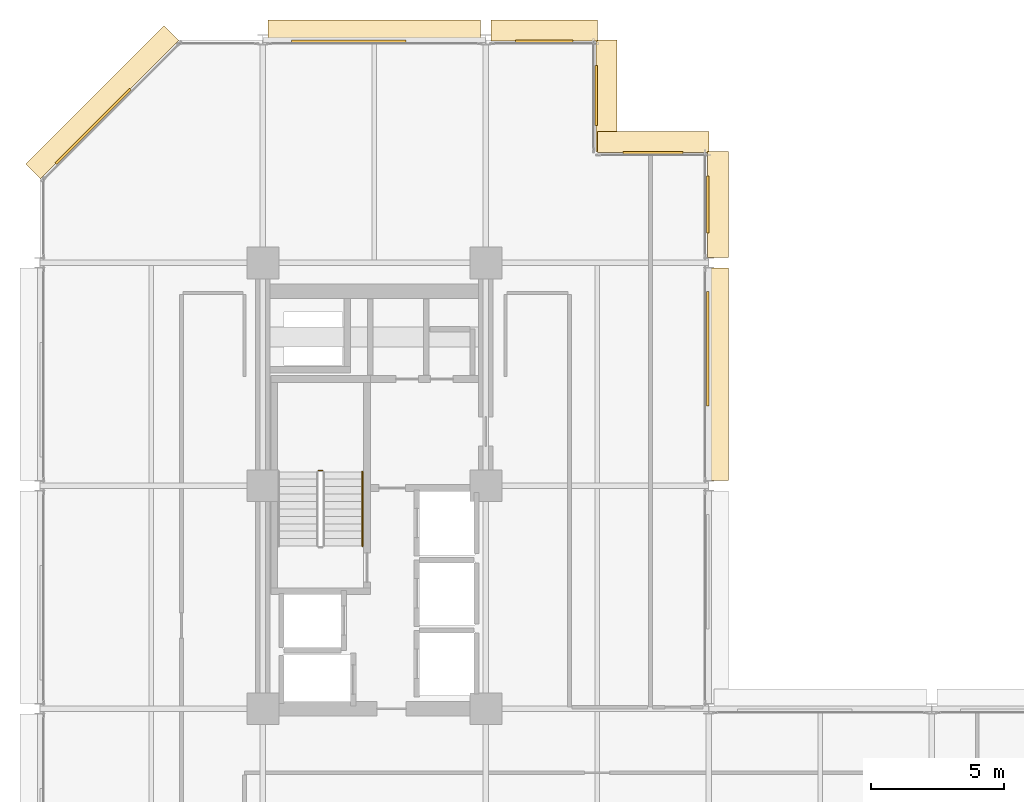
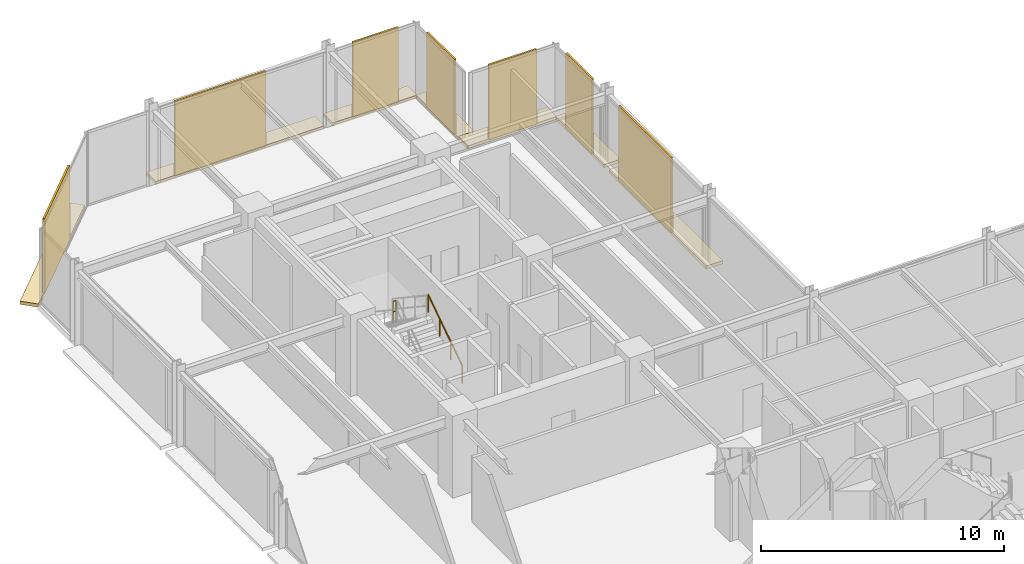
# One storey, part 40 of 40: 14 coverings, 2 railings.
"""IFC4 building model written with IfcOpenShell, lengths in metres."""

from ifc_helpers import new_model, si_unit, direction, frame, origin, origin_2d, place, context, subcontext, project, spatial, polyline, rectangle, circle, outline, extrude, material, layer, layer_set, type_object, element, save


model = new_model("IFC4")

# Units and contexts
model_context = context("Model", 3, precision=1e-05, world=origin(), true_north=direction((0.0, 1.0)))
body_context = subcontext(model_context, "Body", "Model", "MODEL_VIEW")
ifc_project = project(units=[si_unit("LENGTHUNIT", "METRE"), si_unit("AREAUNIT", "SQUARE_METRE"), si_unit("VOLUMEUNIT", "CUBIC_METRE"), si_unit("PLANEANGLEUNIT", "RADIAN"), si_unit("MASSUNIT", "GRAM", prefix="KILO")], contexts=[model_context])

# Site, building, storey
site_placement = place(None, origin())
site = spatial("IfcSite", under=ifc_project, at=site_placement, CompositionType="ELEMENT")
building_placement = place(site_placement, origin())
building = spatial("IfcBuilding", under=site, at=building_placement, Name="Nerrivon Quay Data Exchange", CompositionType="ELEMENT")
storey_placement = place(building_placement, frame((0.0, 0.0, 109.0)))
storey = spatial("IfcBuildingStorey", under=building, at=storey_placement, Name="L25", CompositionType="ELEMENT", Elevation=109.0)

# Coverings
ifc_material_1 = material(Name="Architectural terracotta ceramic", Category="masonry")
ifc_layer_1 = layer(ifc_material_1, 0.159912109375)
ifc_layer_set_1 = layer_set([ifc_layer_1], Name="Architectural terracotta ceramic")
covering_type_1 = type_object("IfcCoveringType", Name="COV-BLD-TERR", PredefinedType="CLADDING", material=ifc_layer_set_1)
covering_1_placement = place(storey_placement, frame((0.0, 0.0, -0.159912109375)))
element("IfcCovering", 1, at=covering_1_placement, inside=storey, type_object=covering_type_1, Name="L25 Horizontal Terracotta SOLAR SCREEN Blade", PredefinedType="CLADDING", context=body_context, shape_type="SweptSolid", body=[
    extrude(outline(polyline([(0.0283203125, 45.171630859375), (5.228271484375, 50.37158203125), (4.669677734375, 50.930419921875), (-0.5302734375, 45.730224609375), (0.0283203125, 45.171630859375)])), origin(), (0.0, 0.0, 1.0), 0.159912109375),
])
covering_2_placement = place(storey_placement, frame((0.0, 0.0, -0.159912109375)))
element("IfcCovering", 2, at=covering_2_placement, inside=storey, type_object=covering_type_1, Name="L25 Horizontal Terracotta SOLAR SCREEN Blade", PredefinedType="CLADDING", context=body_context, shape_type="SweptSolid", body=[
    extrude(outline(polyline([(8.60009765625, 50.360107421875), (16.60009765625, 50.360107421875), (16.60009765625, 51.14990234375), (8.60009765625, 51.14990234375), (8.60009765625, 50.360107421875)])), origin(), (0.0, 0.0, 1.0), 0.159912109375),
])
covering_3_placement = place(storey_placement, frame((0.0, 0.0, -0.159912109375)))
element("IfcCovering", 3, at=covering_3_placement, inside=storey, type_object=covering_type_1, Name="L25 Horizontal Terracotta SOLAR SCREEN Blade", PredefinedType="CLADDING", context=body_context, shape_type="SweptSolid", body=[
    extrude(outline(polyline([(17.0, 50.360107421875), (21.0, 50.360107421875), (21.0, 51.14990234375), (17.0, 51.14990234375), (17.0, 50.360107421875)])), origin(), (0.0, 0.0, 1.0), 0.159912109375),
])
covering_4_placement = place(storey_placement, frame((0.0, 0.0, -0.159912109375)))
element("IfcCovering", 4, at=covering_4_placement, inside=storey, type_object=covering_type_1, Name="L25 Horizontal Terracotta SOLAR SCREEN Blade", PredefinedType="CLADDING", context=body_context, shape_type="SweptSolid", body=[
    extrude(outline(polyline([(20.9599609375, 50.39990234375), (20.9599609375, 46.199951171875), (21.75, 46.199951171875), (21.75, 50.39990234375), (20.9599609375, 50.39990234375)])), origin(), (0.0, 0.0, 1.0), 0.159912109375),
])
covering_5_placement = place(storey_placement, frame((0.0, 0.0, -0.159912109375)))
element("IfcCovering", 5, at=covering_5_placement, inside=storey, type_object=covering_type_1, Name="L25 Horizontal Terracotta SOLAR SCREEN Blade", PredefinedType="CLADDING", context=body_context, shape_type="SweptSolid", body=[
    extrude(outline(polyline([(21.0, 46.159912109375), (25.199951171875, 46.159912109375), (25.199951171875, 46.949951171875), (21.0, 46.949951171875), (21.0, 46.159912109375)])), origin(), (0.0, 0.0, 1.0), 0.159912109375),
])
covering_6_placement = place(storey_placement, frame((0.0, 0.0, -0.159912109375)))
element("IfcCovering", 6, at=covering_6_placement, inside=storey, type_object=covering_type_1, Name="L25 Horizontal Terracotta SOLAR SCREEN Blade", PredefinedType="CLADDING", context=body_context, shape_type="SweptSolid", body=[
    extrude(outline(polyline([(25.159912109375, 46.199951171875), (25.159912109375, 42.199951171875), (25.949951171875, 42.199951171875), (25.949951171875, 46.199951171875), (25.159912109375, 46.199951171875)])), origin(), (0.0, 0.0, 1.0), 0.159912109375),
])
covering_7_placement = place(storey_placement, frame((0.0, 0.0, -0.159912109375)))
element("IfcCovering", 7, at=covering_7_placement, inside=storey, type_object=covering_type_1, Name="L25 Horizontal Terracotta SOLAR SCREEN Blade", PredefinedType="CLADDING", context=body_context, shape_type="SweptSolid", body=[
    extrude(outline(polyline([(25.159912109375, 41.800048828125), (25.159912109375, 33.800048828125), (25.949951171875, 33.800048828125), (25.949951171875, 41.800048828125), (25.159912109375, 41.800048828125)])), origin(), (0.0, 0.0, 1.0), 0.159912109375),
])
ifc_layer_2 = layer(ifc_material_1, 0.090087890625)
ifc_layer_set_2 = layer_set([ifc_layer_2], Name="Architectural terracotta ceramic")
covering_type_2 = type_object("IfcCoveringType", Name="COV-SCR-TERR", PredefinedType="CLADDING", material=ifc_layer_set_2)
covering_8_placement = place(storey_placement, frame((2.0078125, 47.144287109375, 0.0), z_axis=(0.0, 0.0, 1.0), x_axis=(0.707106781187, 0.707106781187, 0.0)))
element("IfcCovering", 8, at=covering_8_placement, inside=storey, type_object=covering_type_2, Name="L25 Perforated Terracotta SOLAR SCREEN Cassette", PredefinedType="CLADDING", context=body_context, shape_type="SweptSolid", body=[
    extrude(rectangle(XDim=3.970947265625, YDim=0.090087890625, at=origin_2d()), origin(), (0.0, 0.0, 1.0), 3.75),
])
covering_9_placement = place(storey_placement, frame((11.639892578125, 50.35498046875, 0.0), z_axis=(0.0, 0.0, 1.0), x_axis=(1.0, 0.0, 0.0)))
element("IfcCovering", 9, at=covering_9_placement, inside=storey, type_object=covering_type_2, Name="L25 Perforated Terracotta SOLAR SCREEN Cassette", PredefinedType="CLADDING", context=body_context, shape_type="SweptSolid", body=[
    extrude(rectangle(XDim=4.320068359375, YDim=0.090087890625, at=origin_2d()), origin(), (0.0, 0.0, 1.0), 3.75),
])
covering_10_placement = place(storey_placement, frame((19.0, 50.35498046875, 0.0), z_axis=(0.0, 0.0, 1.0), x_axis=(1.0, 0.0, 0.0)))
element("IfcCovering", 10, at=covering_10_placement, inside=storey, type_object=covering_type_2, Name="L25 Perforated Terracotta SOLAR SCREEN Cassette", PredefinedType="CLADDING", context=body_context, shape_type="SweptSolid", body=[
    extrude(rectangle(XDim=2.159912109375, YDim=0.090087890625, at=origin_2d()), origin(), (0.0, 0.0, 1.0), 3.75),
])
for number, where, z_axis, x_axis, name in (
    (11, (20.955078125, 48.300048828125, 0.0), (0.0, 0.0, 1.0), (0.0, -1.0, 0.0), "L25 Perforated Terracotta SOLAR SCREEN Cassette"),
    (12, (23.10009765625, 46.155029296875, 0.0), (0.0, 0.0, 1.0), (1.0, 0.0, 0.0), "L25 Perforated Terracotta SOLAR SCREEN Cassette"),
):
    element("IfcCovering", number, at=place(storey_placement, frame(where, z_axis=z_axis, x_axis=x_axis)), inside=storey, type_object=covering_type_2, Name=name, PredefinedType="CLADDING", context=body_context, shape_type="SweptSolid", body=[
        extrude(rectangle(XDim=2.26806640625, YDim=0.090087890625, at=origin_2d()), origin(), (0.0, 0.0, 1.0), 3.75),
    ])
covering_11_placement = place(storey_placement, frame((25.155029296875, 44.199951171875, 0.0), z_axis=(0.0, 0.0, 1.0), x_axis=(0.0, -1.0, 0.0)))
element("IfcCovering", 13, at=covering_11_placement, inside=storey, type_object=covering_type_2, Name="L25 Perforated Terracotta SOLAR SCREEN Cassette", PredefinedType="CLADDING", context=body_context, shape_type="SweptSolid", body=[
    extrude(rectangle(XDim=2.159912109375, YDim=0.090087890625, at=origin_2d()), origin(), (0.0, 0.0, 1.0), 3.75),
])
covering_12_placement = place(storey_placement, frame((25.155029296875, 38.760009765625, 0.0), z_axis=(0.0, 0.0, 1.0), x_axis=(0.0, -1.0, 0.0)))
element("IfcCovering", 14, at=covering_12_placement, inside=storey, type_object=covering_type_2, Name="L25 Perforated Terracotta SOLAR SCREEN Cassette", PredefinedType="CLADDING", context=body_context, shape_type="SweptSolid", body=[
    extrude(rectangle(XDim=4.320068359375, YDim=0.090087890625, at=origin_2d()), origin(), (0.0, 0.0, 1.0), 3.75),
])

# Railings
ifc_material_2 = material(Name="Steel Grade C350L0 (350 MPa)", Category="steel")
railing_type_1 = type_object("IfcRailingType", Name="RAIL-HAND-HR1", PredefinedType="HANDRAIL", material=ifc_material_2)
railing_1_placement = place(storey_placement, frame((12.14990234375, 31.330078125, 0.186279296875)))
element("IfcRailing", 15, at=railing_1_placement, inside=storey, type_object=railing_type_1, Name="L25 ST01 stair handrail 1", PredefinedType="HANDRAIL", context=body_context, shape_type="SweptSolid", body=[
    extrude(circle(Radius=0.02392578125, at=origin_2d()), frame((0.0, 0.0, 0.8759765625), z_axis=(0.0, 0.832429786209, 0.554130536094), x_axis=(-1.0, 0.0, 0.0)), (0.0, 0.0, 1.0), 3.363525390625),
    extrude(circle(Radius=0.02099609375, at=origin_2d()), origin(), (0.0, 0.0, 1.0), 0.851806640625),
    extrude(circle(Radius=0.02099609375, at=origin_2d()), frame((0.0, 0.933349609375, 0.621337890625)), (0.0, 0.0, 1.0), 0.851806640625),
    extrude(circle(Radius=0.02099609375, at=origin_2d()), frame((0.0, 1.866455078125, 1.242431640625)), (0.0, 0.0, 1.0), 0.851806640625),
    extrude(circle(Radius=0.02099609375, at=origin_2d()), frame((0.0, 2.7998046875, 1.86376953125)), (0.0, 0.0, 1.0), 0.851806640625),
])
railing_type_2 = type_object("IfcRailingType", Name="RAIL-STAIR-GR1", PredefinedType="BALUSTRADE", material=ifc_material_2)
railing_2_placement = place(storey_placement, frame((10.64990234375, 34.179931640625, 2.050048828125)))
element("IfcRailing", 16, at=railing_2_placement, inside=storey, type_object=railing_type_2, Name="L25 ST01 stair guard 2", PredefinedType="BALUSTRADE", context=body_context, shape_type="SweptSolid", body=[
    extrude(circle(Radius=0.02392578125, at=origin_2d()), frame((0.0, 0.0, 1.076171875), z_axis=(-1.0, 0.0, 0.0), x_axis=(0.0, -1.0, 0.0)), (0.0, 0.0, 1.0), 0.14990234375),
    extrude(circle(Radius=0.02392578125, at=origin_2d()), frame((0.0, 0.0, 0.550048828125), z_axis=(-1.0, 0.0, 0.0), x_axis=(0.0, -1.0, 0.0)), (0.0, 0.0, 1.0), 0.14990234375),
    extrude(circle(Radius=0.02099609375, at=origin_2d()), origin(), (0.0, 0.0, 1.0), 1.052001953125),
    extrude(circle(Radius=0.02099609375, at=origin_2d()), frame((-0.14990234375, 0.0, 0.0)), (0.0, 0.0, 1.0), 1.052001953125),
])

save(model, "model.ifc")
